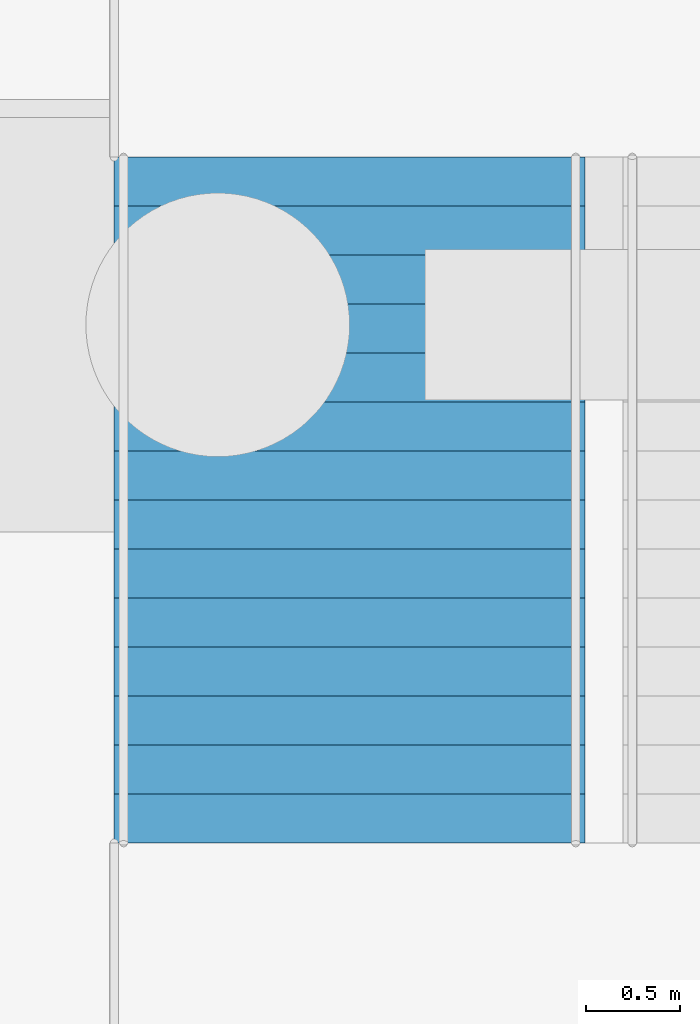
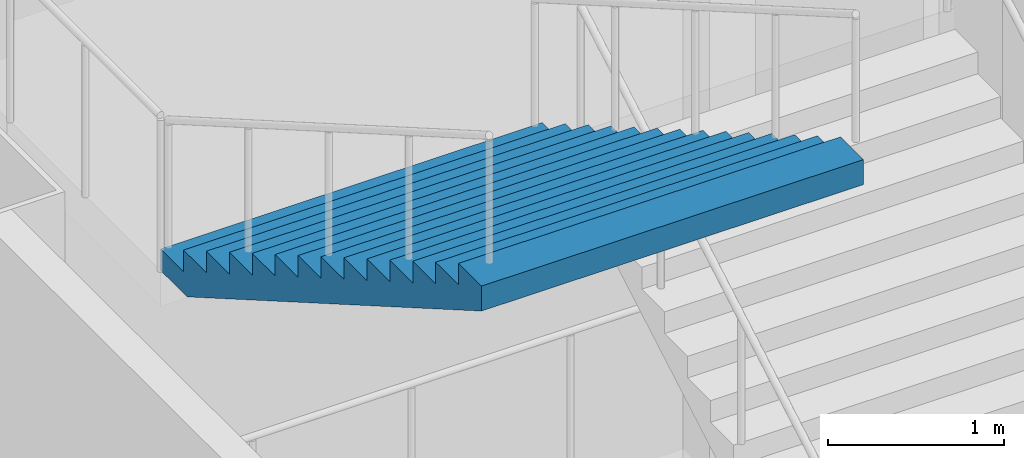
# One storey, part 72 of 113: 1 stair flight, 1 element without a shape of its own.
"""IFC4 building model written with IfcOpenShell, lengths in metres."""

from ifc_helpers import new_model, si_unit, direction, frame, origin, place, context, subcontext, project, spatial, triangles, material, type_object, element, aggregate, save


model = new_model("IFC4")

# Units and contexts
model_context = context("Model", 3, precision=1e-05, world=origin(), true_north=direction((0.0, 1.0)))
body_context = subcontext(model_context, "Body", "Model", "MODEL_VIEW")
ifc_project = project(units=[si_unit("LENGTHUNIT", "METRE"), si_unit("AREAUNIT", "SQUARE_METRE"), si_unit("VOLUMEUNIT", "CUBIC_METRE"), si_unit("PLANEANGLEUNIT", "RADIAN"), si_unit("MASSUNIT", "GRAM", prefix="KILO")], contexts=[model_context])

# Site, building, storey
site_placement = place(None, origin())
site = spatial("IfcSite", under=ifc_project, at=site_placement, CompositionType="ELEMENT")
building_placement = place(site_placement, origin())
building = spatial("IfcBuilding", under=site, at=building_placement, Name="Hakoniwa Tower and Hamabe Station Hall", CompositionType="ELEMENT")
storey_placement = place(building_placement, origin())
storey = spatial("IfcBuildingStorey", under=building, at=storey_placement, Name="L01", CompositionType="ELEMENT", Elevation=0.0)

# Stair, stair flight
ifc_material_1 = material(Name="Concrete C40", Category="concrete")
stair_type = type_object("IfcStairType", Name="STAIR 2500 15X150", PredefinedType="HALF_TURN_STAIR", material=ifc_material_1)
stair_placement = place(storey_placement, origin())
stair = element("IfcStair", 1, at=stair_placement, inside=storey, type_object=stair_type, Name="Escape stair PS3", PredefinedType="HALF_TURN_STAIR")
ifc_material_2 = material(Name="Concrete C40", Category="concrete")
stair_flight_type = type_object("IfcStairFlightType", Name="STAIR FLIGHT 2500", PredefinedType="STRAIGHT", material=ifc_material_2)
stair_flight_placement = place(storey_placement, frame((45.10009765625, -18.7099609375, 6.75), z_axis=(0.0, 0.0, 1.0), x_axis=(0.0, -1.0, 0.0)))
stair_flight = element("IfcStairFlight", 2, at=stair_flight_placement, type_object=stair_flight_type, Name="PS3 flight 4", NumberOfRisers=15, NumberOfTreads=14, PredefinedType="STRAIGHT", RiserHeight=0.15, TreadLength=0.26, context=body_context, shape_type="Tessellation", body=[
    triangles([(0.0, 1.25, 0.0), (0.260009765625, 1.25, 0.0), (0.300048828125, 1.25, 0.0), (0.52001953125, 1.25, 0.126953125), (0.780029296875, 1.25, 0.27685546875), (1.0400390625, 1.25, 0.427001953125), (1.300048828125, 1.25, 0.576904296875), (1.56005859375, 1.25, 0.72705078125), (1.820068359375, 1.25, 0.876953125), (2.080078125, 1.25, 1.02685546875), (2.340087890625, 1.25, 1.177001953125), (2.60009765625, 1.25, 1.326904296875), (2.860107421875, 1.25, 1.47705078125), (3.1201171875, 1.25, 1.626953125), (3.3798828125, 1.25, 1.77685546875), (3.639892578125, 1.25, 1.927001953125), (3.639892578125, 1.25, 2.10009765625), (3.3798828125, 1.25, 2.10009765625), (3.3798828125, 1.25, 1.949951171875), (3.1201171875, 1.25, 1.949951171875), (3.1201171875, 1.25, 1.800048828125), (2.860107421875, 1.25, 1.800048828125), (2.860107421875, 1.25, 1.64990234375), (2.60009765625, 1.25, 1.64990234375), (2.60009765625, 1.25, 1.5), (2.340087890625, 1.25, 1.5), (2.340087890625, 1.25, 1.35009765625), (2.080078125, 1.25, 1.35009765625), (2.080078125, 1.25, 1.199951171875), (1.820068359375, 1.25, 1.199951171875), (1.820068359375, 1.25, 1.050048828125), (1.56005859375, 1.25, 1.050048828125), (1.56005859375, 1.25, 0.89990234375), (1.300048828125, 1.25, 0.89990234375), (1.300048828125, 1.25, 0.75), (1.0400390625, 1.25, 0.75), (1.0400390625, 1.25, 0.60009765625), (0.780029296875, 1.25, 0.60009765625), (0.780029296875, 1.25, 0.449951171875), (0.52001953125, 1.25, 0.449951171875), (0.52001953125, 1.25, 0.300048828125), (0.300048828125, 1.25, 0.300048828125), (0.260009765625, 1.25, 0.300048828125), (0.260009765625, 1.25, 0.14990234375), (0.0, 1.25, 0.14990234375), (0.0, 0.06005859375, 0.0), (0.260009765625, 0.06005859375, 0.0), (0.300048828125, 0.06005859375, 0.0), (0.52001953125, 0.06005859375, 0.126953125), (0.780029296875, 0.06005859375, 0.27685546875), (1.0400390625, 0.06005859375, 0.427001953125), (1.300048828125, 0.06005859375, 0.576904296875), (1.56005859375, 0.06005859375, 0.72705078125), (1.820068359375, 0.06005859375, 0.876953125), (2.080078125, 0.06005859375, 1.02685546875), (2.340087890625, 0.06005859375, 1.177001953125), (2.60009765625, 0.06005859375, 1.326904296875), (2.860107421875, 0.06005859375, 1.47705078125), (3.1201171875, 0.06005859375, 1.626953125), (3.3798828125, 0.06005859375, 1.77685546875), (3.639892578125, 0.06005859375, 1.927001953125), (3.639892578125, 0.06005859375, 2.10009765625), (3.3798828125, 0.06005859375, 2.10009765625), (3.3798828125, 0.06005859375, 1.949951171875), (3.1201171875, 0.06005859375, 1.949951171875), (3.1201171875, 0.06005859375, 1.800048828125), (2.860107421875, 0.06005859375, 1.800048828125), (2.860107421875, 0.06005859375, 1.64990234375), (2.60009765625, 0.06005859375, 1.64990234375), (2.60009765625, 0.06005859375, 1.5), (2.340087890625, 0.06005859375, 1.5), (2.340087890625, 0.06005859375, 1.35009765625), (2.080078125, 0.06005859375, 1.35009765625), (2.080078125, 0.06005859375, 1.199951171875), (1.820068359375, 0.06005859375, 1.199951171875), (1.820068359375, 0.06005859375, 1.050048828125), (1.56005859375, 0.06005859375, 1.050048828125), (1.56005859375, 0.06005859375, 0.89990234375), (1.300048828125, 0.06005859375, 0.89990234375), (1.300048828125, 0.06005859375, 0.75), (1.0400390625, 0.06005859375, 0.75), (1.0400390625, 0.06005859375, 0.60009765625), (0.780029296875, 0.06005859375, 0.60009765625), (0.780029296875, 0.06005859375, 0.449951171875), (0.52001953125, 0.06005859375, 0.449951171875), (0.52001953125, 0.06005859375, 0.300048828125), (0.300048828125, 0.06005859375, 0.300048828125), (0.260009765625, 0.06005859375, 0.300048828125), (0.260009765625, 0.06005859375, 0.14990234375), (0.0, 0.06005859375, 0.14990234375), (0.0, 0.02001953125, 0.0), (0.260009765625, 0.02001953125, 0.0), (0.300048828125, 0.02001953125, 0.0), (0.52001953125, 0.02001953125, 0.126953125), (0.780029296875, 0.02001953125, 0.27685546875), (1.0400390625, 0.02001953125, 0.427001953125), (1.300048828125, 0.02001953125, 0.576904296875), (1.56005859375, 0.02001953125, 0.72705078125), (1.820068359375, 0.02001953125, 0.876953125), (2.080078125, 0.02001953125, 1.02685546875), (2.340087890625, 0.02001953125, 1.177001953125), (2.60009765625, 0.02001953125, 1.326904296875), (2.860107421875, 0.02001953125, 1.47705078125), (3.1201171875, 0.02001953125, 1.626953125), (3.3798828125, 0.02001953125, 1.77685546875), (3.639892578125, 0.02001953125, 1.927001953125), (3.639892578125, 0.02001953125, 2.10009765625), (3.3798828125, 0.02001953125, 2.10009765625), (3.3798828125, 0.02001953125, 1.949951171875), (3.1201171875, 0.02001953125, 1.949951171875), (3.1201171875, 0.02001953125, 1.800048828125), (2.860107421875, 0.02001953125, 1.800048828125), (2.860107421875, 0.02001953125, 1.64990234375), (2.60009765625, 0.02001953125, 1.64990234375), (2.60009765625, 0.02001953125, 1.5), (2.340087890625, 0.02001953125, 1.5), (2.340087890625, 0.02001953125, 1.35009765625), (2.080078125, 0.02001953125, 1.35009765625), (2.080078125, 0.02001953125, 1.199951171875), (1.820068359375, 0.02001953125, 1.199951171875), (1.820068359375, 0.02001953125, 1.050048828125), (1.56005859375, 0.02001953125, 1.050048828125), (1.56005859375, 0.02001953125, 0.89990234375), (1.300048828125, 0.02001953125, 0.89990234375), (1.300048828125, 0.02001953125, 0.75), (1.0400390625, 0.02001953125, 0.75), (1.0400390625, 0.02001953125, 0.60009765625), (0.780029296875, 0.02001953125, 0.60009765625), (0.780029296875, 0.02001953125, 0.449951171875), (0.52001953125, 0.02001953125, 0.449951171875), (0.52001953125, 0.02001953125, 0.300048828125), (0.300048828125, 0.02001953125, 0.300048828125), (0.260009765625, 0.02001953125, 0.300048828125), (0.260009765625, 0.02001953125, 0.14990234375), (0.0, 0.02001953125, 0.14990234375), (0.0, -0.02001953125, 0.0), (0.260009765625, -0.02001953125, 0.0), (0.300048828125, -0.02001953125, 0.0), (0.52001953125, -0.02001953125, 0.126953125), (0.780029296875, -0.02001953125, 0.27685546875), (1.0400390625, -0.02001953125, 0.427001953125), (1.300048828125, -0.02001953125, 0.576904296875), (1.56005859375, -0.02001953125, 0.72705078125), (1.820068359375, -0.02001953125, 0.876953125), (2.080078125, -0.02001953125, 1.02685546875), (2.340087890625, -0.02001953125, 1.177001953125), (2.60009765625, -0.02001953125, 1.326904296875), (2.860107421875, -0.02001953125, 1.47705078125), (3.1201171875, -0.02001953125, 1.626953125), (3.3798828125, -0.02001953125, 1.77685546875), (3.639892578125, -0.02001953125, 1.927001953125), (3.639892578125, -0.02001953125, 2.10009765625), (3.3798828125, -0.02001953125, 2.10009765625), (3.3798828125, -0.02001953125, 1.949951171875), (3.1201171875, -0.02001953125, 1.949951171875), (3.1201171875, -0.02001953125, 1.800048828125), (2.860107421875, -0.02001953125, 1.800048828125), (2.860107421875, -0.02001953125, 1.64990234375), (2.60009765625, -0.02001953125, 1.64990234375), (2.60009765625, -0.02001953125, 1.5), (2.340087890625, -0.02001953125, 1.5), (2.340087890625, -0.02001953125, 1.35009765625), (2.080078125, -0.02001953125, 1.35009765625), (2.080078125, -0.02001953125, 1.199951171875), (1.820068359375, -0.02001953125, 1.199951171875), (1.820068359375, -0.02001953125, 1.050048828125), (1.56005859375, -0.02001953125, 1.050048828125), (1.56005859375, -0.02001953125, 0.89990234375), (1.300048828125, -0.02001953125, 0.89990234375), (1.300048828125, -0.02001953125, 0.75), (1.0400390625, -0.02001953125, 0.75), (1.0400390625, -0.02001953125, 0.60009765625), (0.780029296875, -0.02001953125, 0.60009765625), (0.780029296875, -0.02001953125, 0.449951171875), (0.52001953125, -0.02001953125, 0.449951171875), (0.52001953125, -0.02001953125, 0.300048828125), (0.300048828125, -0.02001953125, 0.300048828125), (0.260009765625, -0.02001953125, 0.300048828125), (0.260009765625, -0.02001953125, 0.14990234375), (0.0, -0.02001953125, 0.14990234375), (0.0, -0.06005859375, 0.0), (0.260009765625, -0.06005859375, 0.0), (0.300048828125, -0.06005859375, 0.0), (0.52001953125, -0.06005859375, 0.126953125), (0.780029296875, -0.06005859375, 0.27685546875), (1.0400390625, -0.06005859375, 0.427001953125), (1.300048828125, -0.06005859375, 0.576904296875), (1.56005859375, -0.06005859375, 0.72705078125), (1.820068359375, -0.06005859375, 0.876953125), (2.080078125, -0.06005859375, 1.02685546875), (2.340087890625, -0.06005859375, 1.177001953125), (2.60009765625, -0.06005859375, 1.326904296875), (2.860107421875, -0.06005859375, 1.47705078125), (3.1201171875, -0.06005859375, 1.626953125), (3.3798828125, -0.06005859375, 1.77685546875), (3.639892578125, -0.06005859375, 1.927001953125), (3.639892578125, -0.06005859375, 2.10009765625), (3.3798828125, -0.06005859375, 2.10009765625), (3.3798828125, -0.06005859375, 1.949951171875), (3.1201171875, -0.06005859375, 1.949951171875), (3.1201171875, -0.06005859375, 1.800048828125), (2.860107421875, -0.06005859375, 1.800048828125), (2.860107421875, -0.06005859375, 1.64990234375), (2.60009765625, -0.06005859375, 1.64990234375), (2.60009765625, -0.06005859375, 1.5), (2.340087890625, -0.06005859375, 1.5), (2.340087890625, -0.06005859375, 1.35009765625), (2.080078125, -0.06005859375, 1.35009765625), (2.080078125, -0.06005859375, 1.199951171875), (1.820068359375, -0.06005859375, 1.199951171875), (1.820068359375, -0.06005859375, 1.050048828125), (1.56005859375, -0.06005859375, 1.050048828125), (1.56005859375, -0.06005859375, 0.89990234375), (1.300048828125, -0.06005859375, 0.89990234375), (1.300048828125, -0.06005859375, 0.75), (1.0400390625, -0.06005859375, 0.75), (1.0400390625, -0.06005859375, 0.60009765625), (0.780029296875, -0.06005859375, 0.60009765625), (0.780029296875, -0.06005859375, 0.449951171875), (0.52001953125, -0.06005859375, 0.449951171875), (0.52001953125, -0.06005859375, 0.300048828125), (0.300048828125, -0.06005859375, 0.300048828125), (0.260009765625, -0.06005859375, 0.300048828125), (0.260009765625, -0.06005859375, 0.14990234375), (0.0, -0.06005859375, 0.14990234375), (0.0, -1.25, 0.0), (0.260009765625, -1.25, 0.0), (0.300048828125, -1.25, 0.0), (0.52001953125, -1.25, 0.126953125), (0.780029296875, -1.25, 0.27685546875), (1.0400390625, -1.25, 0.427001953125), (1.300048828125, -1.25, 0.576904296875), (1.56005859375, -1.25, 0.72705078125), (1.820068359375, -1.25, 0.876953125), (2.080078125, -1.25, 1.02685546875), (2.340087890625, -1.25, 1.177001953125), (2.60009765625, -1.25, 1.326904296875), (2.860107421875, -1.25, 1.47705078125), (3.1201171875, -1.25, 1.626953125), (3.3798828125, -1.25, 1.77685546875), (3.639892578125, -1.25, 1.927001953125), (3.639892578125, -1.25, 2.10009765625), (3.3798828125, -1.25, 2.10009765625), (3.3798828125, -1.25, 1.949951171875), (3.1201171875, -1.25, 1.949951171875), (3.1201171875, -1.25, 1.800048828125), (2.860107421875, -1.25, 1.800048828125), (2.860107421875, -1.25, 1.64990234375), (2.60009765625, -1.25, 1.64990234375), (2.60009765625, -1.25, 1.5), (2.340087890625, -1.25, 1.5), (2.340087890625, -1.25, 1.35009765625), (2.080078125, -1.25, 1.35009765625), (2.080078125, -1.25, 1.199951171875), (1.820068359375, -1.25, 1.199951171875), (1.820068359375, -1.25, 1.050048828125), (1.56005859375, -1.25, 1.050048828125), (1.56005859375, -1.25, 0.89990234375), (1.300048828125, -1.25, 0.89990234375), (1.300048828125, -1.25, 0.75), (1.0400390625, -1.25, 0.75), (1.0400390625, -1.25, 0.60009765625), (0.780029296875, -1.25, 0.60009765625), (0.780029296875, -1.25, 0.449951171875), (0.52001953125, -1.25, 0.449951171875), (0.52001953125, -1.25, 0.300048828125), (0.300048828125, -1.25, 0.300048828125), (0.260009765625, -1.25, 0.300048828125), (0.260009765625, -1.25, 0.14990234375), (0.0, -1.25, 0.14990234375)], [[2, 45, 44], [227, 269, 270], [2, 1, 45], [227, 270, 226], [3, 43, 42], [228, 267, 268], [3, 44, 43], [228, 268, 269], [3, 2, 44], [228, 269, 227], [4, 42, 41], [229, 266, 267], [4, 3, 42], [229, 267, 228], [5, 40, 39], [230, 264, 265], [5, 41, 40], [230, 265, 266], [5, 4, 41], [230, 266, 229], [6, 38, 37], [231, 262, 263], [6, 39, 38], [231, 263, 264], [6, 5, 39], [231, 264, 230], [7, 36, 35], [232, 260, 261], [7, 37, 36], [232, 261, 262], [7, 6, 37], [232, 262, 231], [8, 34, 33], [233, 258, 259], [8, 35, 34], [233, 259, 260], [8, 7, 35], [233, 260, 232], [9, 32, 31], [234, 256, 257], [9, 33, 32], [234, 257, 258], [9, 8, 33], [234, 258, 233], [10, 30, 29], [235, 254, 255], [10, 31, 30], [235, 255, 256], [10, 9, 31], [235, 256, 234], [11, 28, 27], [236, 252, 253], [11, 29, 28], [236, 253, 254], [11, 10, 29], [236, 254, 235], [12, 26, 25], [237, 250, 251], [12, 27, 26], [237, 251, 252], [12, 11, 27], [237, 252, 236], [13, 24, 23], [238, 248, 249], [13, 25, 24], [238, 249, 250], [13, 12, 25], [238, 250, 237], [14, 22, 21], [239, 246, 247], [14, 23, 22], [239, 247, 248], [14, 13, 23], [239, 248, 238], [15, 20, 19], [240, 244, 245], [15, 21, 20], [240, 245, 246], [15, 14, 21], [240, 246, 239], [16, 18, 17], [241, 242, 243], [16, 19, 18], [241, 243, 244], [16, 15, 19], [241, 244, 240], [1, 2, 47], [1, 47, 46], [46, 47, 92], [46, 92, 91], [91, 92, 137], [91, 137, 136], [136, 137, 182], [136, 182, 181], [181, 182, 227], [181, 227, 226], [2, 3, 48], [2, 48, 47], [47, 48, 93], [47, 93, 92], [92, 93, 138], [92, 138, 137], [137, 138, 183], [137, 183, 182], [182, 183, 228], [182, 228, 227], [3, 4, 49], [3, 49, 48], [48, 49, 94], [48, 94, 93], [93, 94, 139], [93, 139, 138], [138, 139, 184], [138, 184, 183], [183, 184, 229], [183, 229, 228], [4, 5, 50], [4, 50, 49], [49, 50, 95], [49, 95, 94], [94, 95, 140], [94, 140, 139], [139, 140, 185], [139, 185, 184], [184, 185, 230], [184, 230, 229], [5, 6, 51], [5, 51, 50], [50, 51, 96], [50, 96, 95], [95, 96, 141], [95, 141, 140], [140, 141, 186], [140, 186, 185], [185, 186, 231], [185, 231, 230], [6, 7, 52], [6, 52, 51], [51, 52, 97], [51, 97, 96], [96, 97, 142], [96, 142, 141], [141, 142, 187], [141, 187, 186], [186, 187, 232], [186, 232, 231], [7, 8, 53], [7, 53, 52], [52, 53, 98], [52, 98, 97], [97, 98, 143], [97, 143, 142], [142, 143, 188], [142, 188, 187], [187, 188, 233], [187, 233, 232], [8, 9, 54], [8, 54, 53], [53, 54, 99], [53, 99, 98], [98, 99, 144], [98, 144, 143], [143, 144, 189], [143, 189, 188], [188, 189, 234], [188, 234, 233], [9, 10, 55], [9, 55, 54], [54, 55, 100], [54, 100, 99], [99, 100, 145], [99, 145, 144], [144, 145, 190], [144, 190, 189], [189, 190, 235], [189, 235, 234], [10, 11, 56], [10, 56, 55], [55, 56, 101], [55, 101, 100], [100, 101, 146], [100, 146, 145], [145, 146, 191], [145, 191, 190], [190, 191, 236], [190, 236, 235], [11, 12, 57], [11, 57, 56], [56, 57, 102], [56, 102, 101], [101, 102, 147], [101, 147, 146], [146, 147, 192], [146, 192, 191], [191, 192, 237], [191, 237, 236], [12, 13, 58], [12, 58, 57], [57, 58, 103], [57, 103, 102], [102, 103, 148], [102, 148, 147], [147, 148, 193], [147, 193, 192], [192, 193, 238], [192, 238, 237], [13, 14, 59], [13, 59, 58], [58, 59, 104], [58, 104, 103], [103, 104, 149], [103, 149, 148], [148, 149, 194], [148, 194, 193], [193, 194, 239], [193, 239, 238], [14, 15, 60], [14, 60, 59], [59, 60, 105], [59, 105, 104], [104, 105, 150], [104, 150, 149], [149, 150, 195], [149, 195, 194], [194, 195, 240], [194, 240, 239], [15, 16, 61], [15, 61, 60], [60, 61, 106], [60, 106, 105], [105, 106, 151], [105, 151, 150], [150, 151, 196], [150, 196, 195], [195, 196, 241], [195, 241, 240], [16, 17, 62], [16, 62, 61], [61, 62, 107], [61, 107, 106], [106, 107, 152], [106, 152, 151], [151, 152, 197], [151, 197, 196], [196, 197, 242], [196, 242, 241], [17, 18, 63], [17, 63, 62], [62, 63, 108], [62, 108, 107], [107, 108, 153], [107, 153, 152], [152, 153, 198], [152, 198, 197], [197, 198, 243], [197, 243, 242], [18, 19, 64], [18, 64, 63], [63, 64, 109], [63, 109, 108], [108, 109, 154], [108, 154, 153], [153, 154, 199], [153, 199, 198], [198, 199, 244], [198, 244, 243], [19, 20, 65], [19, 65, 64], [64, 65, 110], [64, 110, 109], [109, 110, 155], [109, 155, 154], [154, 155, 200], [154, 200, 199], [199, 200, 245], [199, 245, 244], [20, 21, 66], [20, 66, 65], [65, 66, 111], [65, 111, 110], [110, 111, 156], [110, 156, 155], [155, 156, 201], [155, 201, 200], [200, 201, 246], [200, 246, 245], [21, 22, 67], [21, 67, 66], [66, 67, 112], [66, 112, 111], [111, 112, 157], [111, 157, 156], [156, 157, 202], [156, 202, 201], [201, 202, 247], [201, 247, 246], [22, 23, 68], [22, 68, 67], [67, 68, 113], [67, 113, 112], [112, 113, 158], [112, 158, 157], [157, 158, 203], [157, 203, 202], [202, 203, 248], [202, 248, 247], [23, 24, 69], [23, 69, 68], [68, 69, 114], [68, 114, 113], [113, 114, 159], [113, 159, 158], [158, 159, 204], [158, 204, 203], [203, 204, 249], [203, 249, 248], [24, 25, 70], [24, 70, 69], [69, 70, 115], [69, 115, 114], [114, 115, 160], [114, 160, 159], [159, 160, 205], [159, 205, 204], [204, 205, 250], [204, 250, 249], [25, 26, 71], [25, 71, 70], [70, 71, 116], [70, 116, 115], [115, 116, 161], [115, 161, 160], [160, 161, 206], [160, 206, 205], [205, 206, 251], [205, 251, 250], [26, 27, 72], [26, 72, 71], [71, 72, 117], [71, 117, 116], [116, 117, 162], [116, 162, 161], [161, 162, 207], [161, 207, 206], [206, 207, 252], [206, 252, 251], [27, 28, 73], [27, 73, 72], [72, 73, 118], [72, 118, 117], [117, 118, 163], [117, 163, 162], [162, 163, 208], [162, 208, 207], [207, 208, 253], [207, 253, 252], [28, 29, 74], [28, 74, 73], [73, 74, 119], [73, 119, 118], [118, 119, 164], [118, 164, 163], [163, 164, 209], [163, 209, 208], [208, 209, 254], [208, 254, 253], [29, 30, 75], [29, 75, 74], [74, 75, 120], [74, 120, 119], [119, 120, 165], [119, 165, 164], [164, 165, 210], [164, 210, 209], [209, 210, 255], [209, 255, 254], [30, 31, 76], [30, 76, 75], [75, 76, 121], [75, 121, 120], [120, 121, 166], [120, 166, 165], [165, 166, 211], [165, 211, 210], [210, 211, 256], [210, 256, 255], [31, 32, 77], [31, 77, 76], [76, 77, 122], [76, 122, 121], [121, 122, 167], [121, 167, 166], [166, 167, 212], [166, 212, 211], [211, 212, 257], [211, 257, 256], [32, 33, 78], [32, 78, 77], [77, 78, 123], [77, 123, 122], [122, 123, 168], [122, 168, 167], [167, 168, 213], [167, 213, 212], [212, 213, 258], [212, 258, 257], [33, 34, 79], [33, 79, 78], [78, 79, 124], [78, 124, 123], [123, 124, 169], [123, 169, 168], [168, 169, 214], [168, 214, 213], [213, 214, 259], [213, 259, 258], [34, 35, 80], [34, 80, 79], [79, 80, 125], [79, 125, 124], [124, 125, 170], [124, 170, 169], [169, 170, 215], [169, 215, 214], [214, 215, 260], [214, 260, 259], [35, 36, 81], [35, 81, 80], [80, 81, 126], [80, 126, 125], [125, 126, 171], [125, 171, 170], [170, 171, 216], [170, 216, 215], [215, 216, 261], [215, 261, 260], [36, 37, 82], [36, 82, 81], [81, 82, 127], [81, 127, 126], [126, 127, 172], [126, 172, 171], [171, 172, 217], [171, 217, 216], [216, 217, 262], [216, 262, 261], [37, 38, 83], [37, 83, 82], [82, 83, 128], [82, 128, 127], [127, 128, 173], [127, 173, 172], [172, 173, 218], [172, 218, 217], [217, 218, 263], [217, 263, 262], [38, 39, 84], [38, 84, 83], [83, 84, 129], [83, 129, 128], [128, 129, 174], [128, 174, 173], [173, 174, 219], [173, 219, 218], [218, 219, 264], [218, 264, 263], [39, 40, 85], [39, 85, 84], [84, 85, 130], [84, 130, 129], [129, 130, 175], [129, 175, 174], [174, 175, 220], [174, 220, 219], [219, 220, 265], [219, 265, 264], [40, 41, 86], [40, 86, 85], [85, 86, 131], [85, 131, 130], [130, 131, 176], [130, 176, 175], [175, 176, 221], [175, 221, 220], [220, 221, 266], [220, 266, 265], [41, 42, 87], [41, 87, 86], [86, 87, 132], [86, 132, 131], [131, 132, 177], [131, 177, 176], [176, 177, 222], [176, 222, 221], [221, 222, 267], [221, 267, 266], [42, 43, 88], [42, 88, 87], [87, 88, 133], [87, 133, 132], [132, 133, 178], [132, 178, 177], [177, 178, 223], [177, 223, 222], [222, 223, 268], [222, 268, 267], [43, 44, 89], [43, 89, 88], [88, 89, 134], [88, 134, 133], [133, 134, 179], [133, 179, 178], [178, 179, 224], [178, 224, 223], [223, 224, 269], [223, 269, 268], [44, 45, 90], [44, 90, 89], [89, 90, 135], [89, 135, 134], [134, 135, 180], [134, 180, 179], [179, 180, 225], [179, 225, 224], [224, 225, 270], [224, 270, 269], [45, 1, 46], [45, 46, 90], [90, 46, 91], [90, 91, 135], [135, 91, 136], [135, 136, 180], [180, 136, 181], [180, 181, 225], [225, 181, 226], [225, 226, 270]], closed=True),
])
aggregate(stair, [stair_flight])

save(model, "model.ifc")
